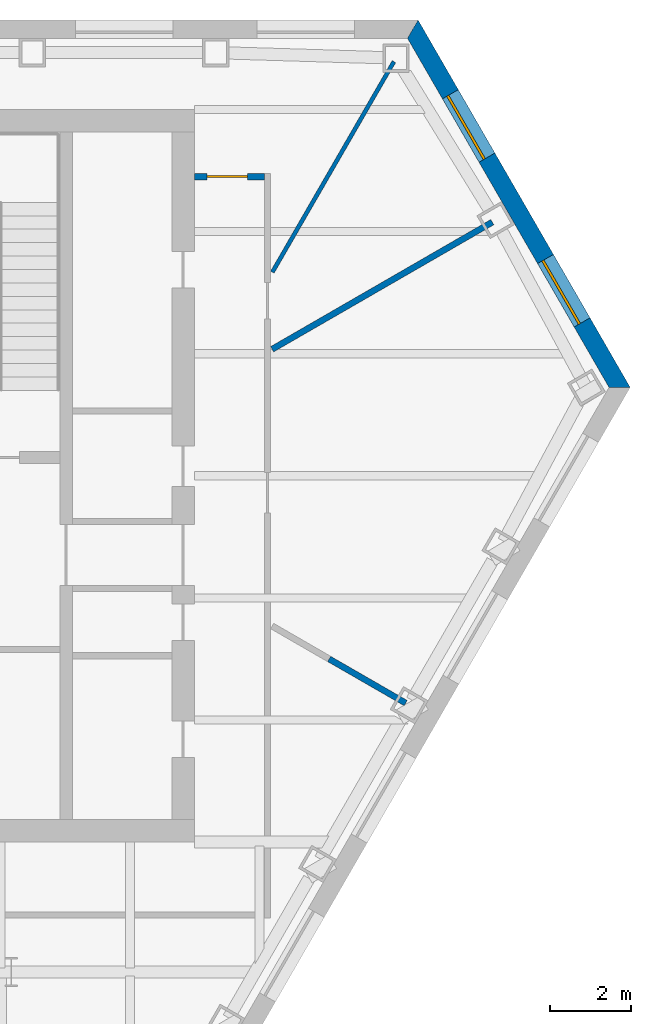
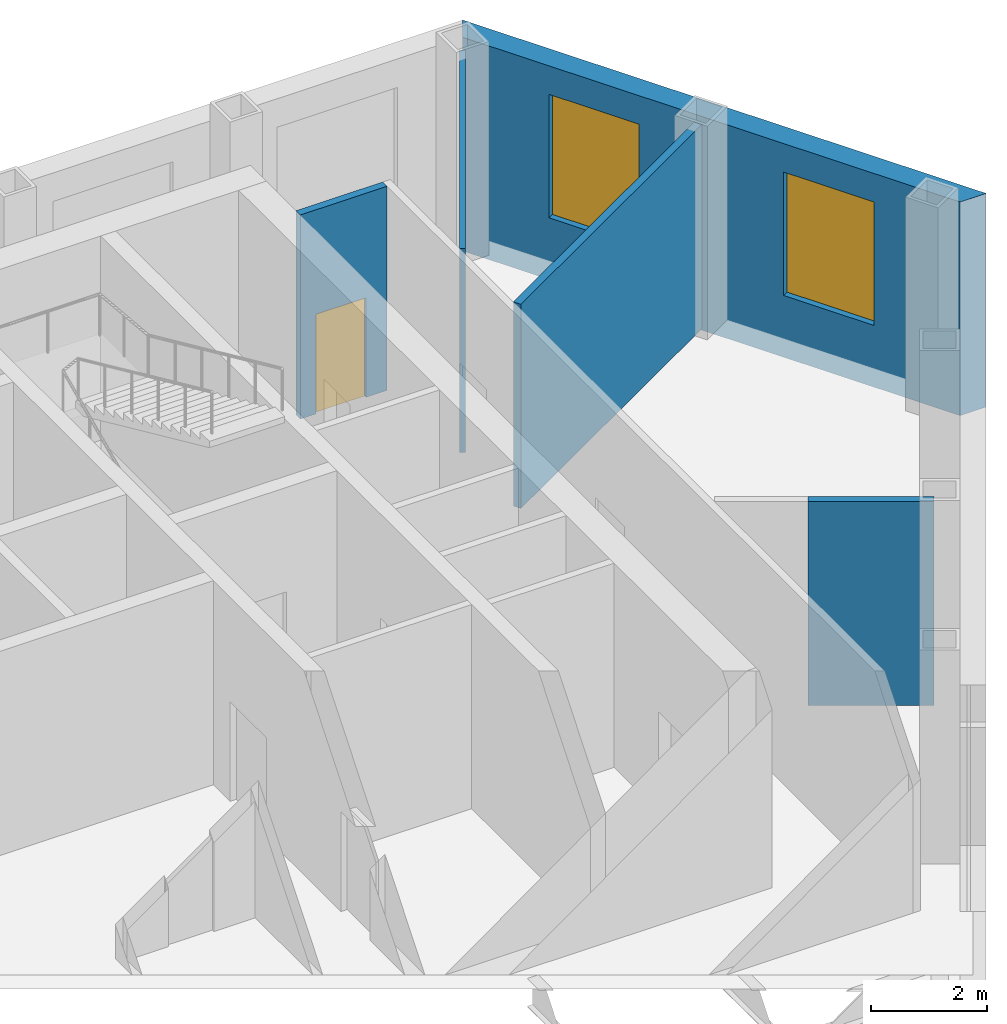
# One storey, part 8 of 11: 5 walls, 2 windows, 1 door, 3 openings.
"""IFC4 building model written with IfcOpenShell, lengths in metres."""

from ifc_helpers import new_model, si_unit, direction, frame, frame_2d, origin, place, context, subcontext, project, spatial, polyline, rectangle, outline, extrude, material, layer, layer_set, type_object, element, fill, save


model = new_model("IFC4")

# Units and contexts
model_context = context("Model", 3, precision=1e-05, world=origin(), true_north=direction((0.0, 1.0)))
body_context = subcontext(model_context, "Body", "Model", "MODEL_VIEW")
ifc_project = project(units=[si_unit("LENGTHUNIT", "METRE"), si_unit("AREAUNIT", "SQUARE_METRE"), si_unit("VOLUMEUNIT", "CUBIC_METRE"), si_unit("PLANEANGLEUNIT", "RADIAN"), si_unit("MASSUNIT", "GRAM", prefix="KILO")], contexts=[model_context])

# Site, building, storey
site_placement = place(None, origin())
site = spatial("IfcSite", under=ifc_project, at=site_placement, CompositionType="ELEMENT")
building_placement = place(site_placement, origin())
building = spatial("IfcBuilding", under=site, at=building_placement, Name="Njiva Tower", CompositionType="ELEMENT")
storey_placement = place(building_placement, frame((0.0, 0.0, 84.3)))
storey = spatial("IfcBuildingStorey", under=building, at=storey_placement, Name="L17", CompositionType="ELEMENT", Elevation=84.3)

# Wall
ifc_material_1 = material(Name="Gypsum board on steel studs", Category="gypsum")
ifc_layer_1 = layer(ifc_material_1, 0.1)
ifc_layer_set_1 = layer_set([ifc_layer_1], Name="Gypsum board on steel studs")
wall_type_1 = type_object("IfcWallType", Name="WT20 Gypsum partition 100", PredefinedType="PARTITIONING", material=ifc_layer_set_1)
wall_1_placement = place(storey_placement, frame((19.418, 14.005, 0.0), z_axis=(0.0, 0.0, 1.0), x_axis=(0.500026652407, 0.866010015463, 0.0)))
element("IfcWall", 1, at=wall_1_placement, inside=storey, type_object=wall_type_1, Name="Partition S06-P023", PredefinedType="PARTITIONING", context=body_context, shape_type="SweptSolid", body=[
    extrude(rectangle(XDim=5.9757, YDim=0.1, at=frame_2d((2.9878, 0.0))), origin(), (0.0, 0.0, 1.0), 4.3),
])

# Wall, opening, door
ifc_layer_2 = layer(ifc_material_1, 0.15)
ifc_layer_set_2 = layer_set([ifc_layer_2], Name="Gypsum board on steel studs")
wall_type_2 = type_object("IfcWallType", Name="WT21 Compartment wall 150", PredefinedType="PARTITIONING", material=ifc_layer_set_2)
wall_2_placement = place(storey_placement, frame((17.5, 16.35, 0.0), z_axis=(0.0, 0.0, 1.0), x_axis=(1.0, 0.0, 0.0)))
wall_2 = element("IfcWall", 2, at=wall_2_placement, inside=storey, type_object=wall_type_2, Name="Partition S06-P019", PredefinedType="PARTITIONING", context=body_context, shape_type="SweptSolid", body=[
    extrude(rectangle(XDim=1.725, YDim=0.15, at=frame_2d((0.8625, 0.0))), origin(), (0.0, 0.0, 1.0), 4.3),
])
opening_1_placement = place(wall_2_placement, frame((0.308, 0.0, 0.0)))
opening_1 = element("IfcOpeningElement", 3, at=opening_1_placement, cuts=wall_2, Name="Opening S06-D011", PredefinedType="OPENING", context=body_context, shape_type="SweptSolid", body=[
    extrude(rectangle(XDim=1.0, YDim=2.1, at=frame_2d((0.5, 1.05))), frame((0.0, 0.085, 0.0), z_axis=(0.0, -1.0, 0.0), x_axis=(1.0, 0.0, 0.0)), (0.0, 0.0, 1.0), 0.17),
])
ifc_material_2 = material(Name="Steel fire door set", Category="steel")
door_type = type_object("IfcDoorType", Name="D37 Fire door 1000x2100", OperationType="SINGLE_SWING_LEFT", PredefinedType="DOOR", material=ifc_material_2)
door_placement = place(opening_1_placement, origin())
door = element("IfcDoor", 4, at=door_placement, inside=storey, type_object=door_type, Name="Door S06-D011", OperationType="SINGLE_SWING_RIGHT", OverallHeight=2.1, OverallWidth=1.0, PredefinedType="DOOR", context=body_context, shape_type="SweptSolid", body=[
    extrude(rectangle(XDim=1.0, YDim=2.1, at=frame_2d((0.5, 1.05))), frame((0.0, 0.025, 0.0), z_axis=(0.0, -1.0, 0.0), x_axis=(1.0, 0.0, 0.0)), (0.0, 0.0, 1.0), 0.05),
])
fill(opening_1, door)

# Walls
wall_3_placement = place(storey_placement, frame((19.412, 12.11, 0.0), z_axis=(0.0, 0.0, 1.0), x_axis=(0.866097636026, 0.499874869213, 0.0)))
element("IfcWall", 5, at=wall_3_placement, inside=storey, type_object=wall_type_2, Name="Partition S06-P021", PredefinedType="PARTITIONING", context=body_context, shape_type="SweptSolid", body=[
    extrude(rectangle(XDim=6.2476, YDim=0.15, at=frame_2d((3.1238, 0.0))), origin(), (0.0, 0.0, 1.0), 4.3),
])
wall_4_placement = place(storey_placement, frame((20.813, 4.497, 0.0), z_axis=(0.0, 0.0, 1.0), x_axis=(0.866423210078, -0.499310345414, 0.0)))
element("IfcWall", 6, at=wall_4_placement, inside=storey, type_object=wall_type_2, Name="Partition S06-P024", PredefinedType="PARTITIONING", context=body_context, shape_type="SweptSolid", body=[
    extrude(rectangle(XDim=2.171, YDim=0.15, at=frame_2d((1.0855, 0.0))), origin(), (0.0, 0.0, 1.0), 4.3),
])

# Wall, openings, windows
ifc_material_3 = material(Name="Brick masonry, buff", Category="masonry")
ifc_layer_3 = layer(ifc_material_3, 0.45)
ifc_layer_set_3 = layer_set([ifc_layer_3], Name="Brick masonry, buff")
wall_type_3 = type_object("IfcWallType", Name="WT94 Brick pier and spandrel wall 450, buff", PredefinedType="SOLIDWALL", material=ifc_layer_set_3)
wall_5_placement = place(storey_placement, frame((27.9539, 11.1695, -0.4), z_axis=(0.0, 0.0, 1.0), x_axis=(-0.499997937663, 0.866026594472, 0.0)))
wall_5 = element("IfcWall", 7, at=wall_5_placement, inside=storey, type_object=wall_type_3, Name="Facade wall NE", PredefinedType="SOLIDWALL", context=body_context, shape_type="SweptSolid", body=[
    extrude(outline(polyline([(-0.1299, -0.225), (10.3001, -0.225), (10.0403, 0.225), (0.1299, 0.225), (-0.1299, -0.225)])), origin(), (0.0, 0.0, 1.0), 4.5),
])
opening_2_placement = place(wall_5_placement, frame((1.8469, 0.0, 1.3)))
opening_2 = element("IfcOpeningElement", 8, at=opening_2_placement, cuts=wall_5, Name="Opening S06-W34", PredefinedType="OPENING", context=body_context, shape_type="SweptSolid", body=[
    extrude(rectangle(XDim=1.8, YDim=2.6, at=frame_2d((0.9, 1.3))), frame((0.0, 0.235, 0.0), z_axis=(0.0, -1.0, 0.0), x_axis=(1.0, 0.0, 0.0)), (0.0, 0.0, 1.0), 0.47),
])
opening_3_placement = place(wall_5_placement, frame((6.5232, 0.0, 1.3)))
opening_3 = element("IfcOpeningElement", 9, at=opening_3_placement, cuts=wall_5, Name="Opening S06-W35", PredefinedType="OPENING", context=body_context, shape_type="SweptSolid", body=[
    extrude(rectangle(XDim=1.8, YDim=2.6, at=frame_2d((0.9, 1.3))), frame((0.0, 0.235, 0.0), z_axis=(0.0, -1.0, 0.0), x_axis=(1.0, 0.0, 0.0)), (0.0, 0.0, 1.0), 0.47),
])
ifc_material_4 = material(Name="Clear glazing in aluminium frame", Category="aluminium")
window_type = type_object("IfcWindowType", Name="W96 Deep-set window 1800x2600", PartitioningType="SINGLE_PANEL", PredefinedType="WINDOW", material=ifc_material_4)
window_1_placement = place(opening_2_placement, origin())
window_1 = element("IfcWindow", 10, at=window_1_placement, inside=storey, type_object=window_type, Name="Window", OverallHeight=2.6, OverallWidth=1.8, PartitioningType="SINGLE_PANEL", PredefinedType="WINDOW", context=body_context, shape_type="SweptSolid", body=[
    extrude(rectangle(XDim=1.8, YDim=2.6, at=frame_2d((0.9, 1.3))), frame((0.0, 0.105, 0.0), z_axis=(0.0, -1.0, 0.0), x_axis=(1.0, 0.0, 0.0)), (0.0, 0.0, 1.0), 0.06),
])
fill(opening_2, window_1)
window_2_placement = place(opening_3_placement, origin())
window_2 = element("IfcWindow", 11, at=window_2_placement, inside=storey, type_object=window_type, Name="Window", OverallHeight=2.6, OverallWidth=1.8, PartitioningType="SINGLE_PANEL", PredefinedType="WINDOW", context=body_context, shape_type="SweptSolid", body=[
    extrude(rectangle(XDim=1.8, YDim=2.6, at=frame_2d((0.9, 1.3))), frame((0.0, 0.105, 0.0), z_axis=(0.0, -1.0, 0.0), x_axis=(1.0, 0.0, 0.0)), (0.0, 0.0, 1.0), 0.06),
])
fill(opening_3, window_2)

save(model, "model.ifc")
